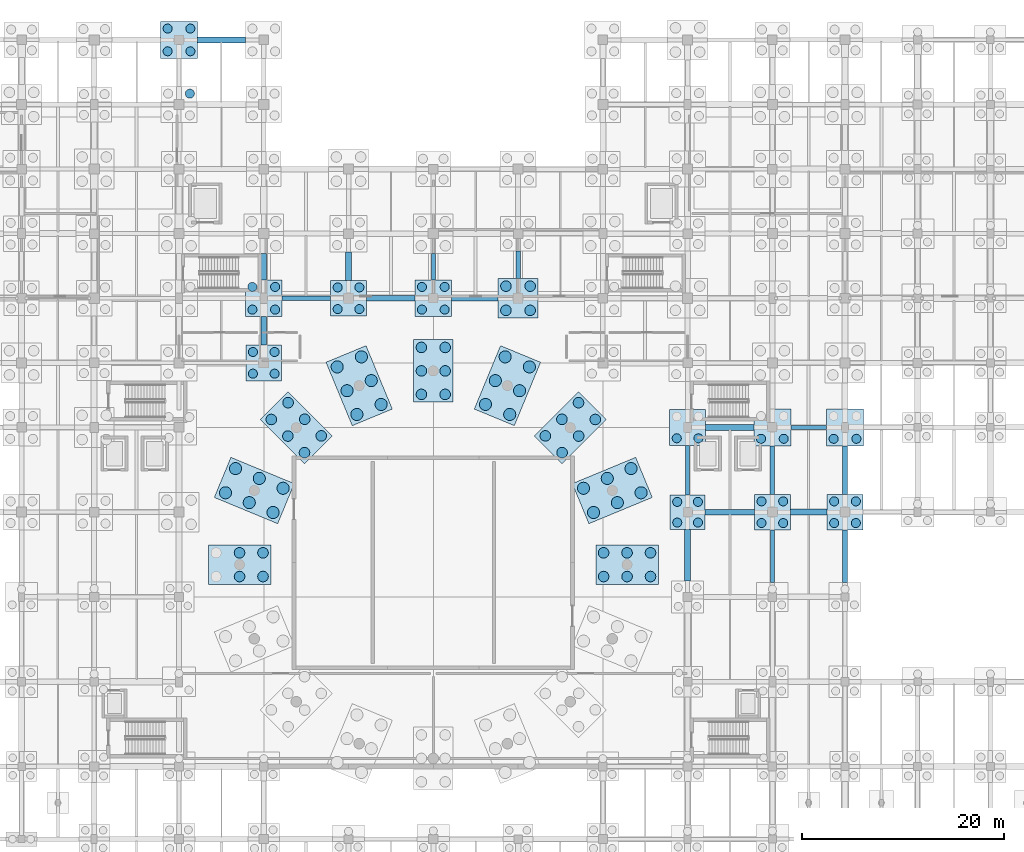
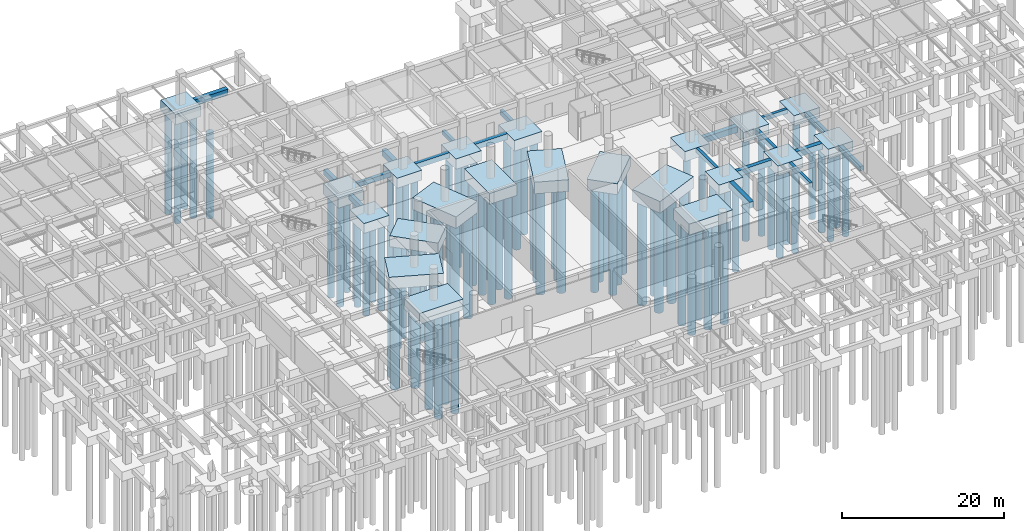
# One storey, part 9 of 44: 95 piles, 40 footings.
"""IFC4 building model written with IfcOpenShell, lengths in metres."""

from ifc_helpers import new_model, si_unit, direction, frame, origin, origin_2d, place, context, subcontext, project, spatial, rectangle, circle, extrude, material, material_profile, profile_set, type_object, element, save


model = new_model("IFC4")

# Units and contexts
model_context = context("Model", 3, precision=1e-05, world=origin(), true_north=direction((0.0, 1.0)))
body_context = subcontext(model_context, "Body", "Model", "MODEL_VIEW")
ifc_project = project(units=[si_unit("LENGTHUNIT", "METRE"), si_unit("AREAUNIT", "SQUARE_METRE"), si_unit("VOLUMEUNIT", "CUBIC_METRE"), si_unit("PLANEANGLEUNIT", "RADIAN"), si_unit("MASSUNIT", "GRAM", prefix="KILO")], contexts=[model_context])

# Site, building, storey
site_placement = place(None, origin())
site = spatial("IfcSite", under=ifc_project, at=site_placement, CompositionType="ELEMENT")
building_placement = place(site_placement, origin())
building = spatial("IfcBuilding", under=site, at=building_placement, Name="Korsvaeld Concert Hall", CompositionType="ELEMENT")
storey_placement = place(building_placement, frame((0.0, 0.0, -4.800048828125)))
storey = spatial("IfcBuildingStorey", under=building, at=storey_placement, Name="B1", CompositionType="ELEMENT", Elevation=-4.800048828125)

# Footings
ifc_material_1 = material(Name="Concrete C35/45", Category="concrete")
ifc_material_profile_1 = material_profile(ifc_material_1, rectangle(XDim=0.39990234375, YDim=0.60009765625, at=origin_2d()), Name="GTB 400x600")
ifc_profile_set_1 = profile_set([ifc_material_profile_1], Name="Concrete C35/45")
footing_type_1 = type_object("IfcFootingType", Name="GTB-400x600", PredefinedType="FOOTING_BEAM", material=ifc_profile_set_1)
footing_1_placement = place(storey_placement, frame((119.425048828125, 76.800048828125, -0.300048828125), z_axis=(1.0, 0.0, 0.0), x_axis=(0.0, 1.0, 0.0)))
element("IfcFooting", 1, at=footing_1_placement, inside=storey, type_object=footing_type_1, Name="Ground tie beam 16-17/L", PredefinedType="FOOTING_BEAM", context=body_context, shape_type="SweptSolid", body=[
    extrude(rectangle(XDim=0.39990234375, YDim=0.60009765625, at=origin_2d()), origin(), (0.0, 0.0, 1.0), 3.550048828125),
])
footing_2_placement = place(storey_placement, frame((84.0, 91.425048828125, -0.300048828125), z_axis=(0.0, 1.0, 0.0), x_axis=(-1.0, 0.0, 0.0)))
element("IfcFooting", 2, at=footing_2_placement, inside=storey, type_object=footing_type_1, Name="Ground tie beam 12/N-P", PredefinedType="FOOTING_BEAM", context=body_context, shape_type="SweptSolid", body=[
    extrude(rectangle(XDim=0.39990234375, YDim=0.60009765625, at=origin_2d()), origin(), (0.0, 0.0, 1.0), 2.599853515625),
])
footing_3_placement = place(storey_placement, frame((109.199951171875, 70.125, -0.300048828125), z_axis=(0.0, 1.0, 0.0), x_axis=(-1.0, 0.0, 0.0)))
element("IfcFooting", 3, at=footing_3_placement, inside=storey, type_object=footing_type_1, Name="Ground tie beam 15/K-L", PredefinedType="FOOTING_BEAM", context=body_context, shape_type="SweptSolid", body=[
    extrude(rectangle(XDim=0.39990234375, YDim=0.60009765625, at=origin_2d()), origin(), (0.0, 0.0, 1.0), 4.89990234375),
])
footing_4_placement = place(storey_placement, frame((117.60009765625, 61.425048828125, -0.300048828125), z_axis=(0.0, 1.0, 0.0), x_axis=(-1.0, 0.0, 0.0)))
element("IfcFooting", 4, at=footing_4_placement, inside=storey, type_object=footing_type_1, Name="Ground tie beam 16/J-K", PredefinedType="FOOTING_BEAM", context=body_context, shape_type="SweptSolid", body=[
    extrude(rectangle(XDim=0.39990234375, YDim=0.60009765625, at=origin_2d()), origin(), (0.0, 0.0, 1.0), 5.199951171875),
])
ifc_material_profile_2 = material_profile(ifc_material_1, rectangle(XDim=0.449951171875, YDim=0.699951171875, at=origin_2d()), Name="GTB 450x700")
ifc_profile_set_2 = profile_set([ifc_material_profile_2], Name="Concrete C35/45")
footing_type_2 = type_object("IfcFootingType", Name="GTB-450x700", PredefinedType="FOOTING_BEAM", material=ifc_profile_set_2)
footing_5_placement = place(storey_placement, frame((69.02490234375, 89.60009765625, -0.349853515625), z_axis=(1.0, 0.0, 0.0), x_axis=(0.0, 1.0, 0.0)))
element("IfcFooting", 5, at=footing_5_placement, inside=storey, type_object=footing_type_2, Name="Ground tie beam 10-11/N", PredefinedType="FOOTING_BEAM", context=body_context, shape_type="SweptSolid", body=[
    extrude(rectangle(XDim=0.449951171875, YDim=0.699951171875, at=origin_2d()), origin(), (0.0, 0.0, 1.0), 4.800048828125),
])
footing_6_placement = place(storey_placement, frame((92.39990234375, 91.574951171875, -0.349853515625), z_axis=(0.0, 1.0, 0.0), x_axis=(-1.0, 0.0, 0.0)))
element("IfcFooting", 6, at=footing_6_placement, inside=storey, type_object=footing_type_2, Name="Ground tie beam 13/N-P", PredefinedType="FOOTING_BEAM", context=body_context, shape_type="SweptSolid", body=[
    extrude(rectangle(XDim=0.449951171875, YDim=0.699951171875, at=origin_2d()), origin(), (0.0, 0.0, 1.0), 2.699951171875),
])
footing_7_placement = place(storey_placement, frame((117.60009765625, 70.175048828125, -0.349853515625), z_axis=(0.0, 1.0, 0.0), x_axis=(-1.0, 0.0, 0.0)))
element("IfcFooting", 7, at=footing_7_placement, inside=storey, type_object=footing_type_2, Name="Ground tie beam 16/K-L", PredefinedType="FOOTING_BEAM", context=body_context, shape_type="SweptSolid", body=[
    extrude(rectangle(XDim=0.449951171875, YDim=0.699951171875, at=origin_2d()), origin(), (0.0, 0.0, 1.0), 4.800048828125),
])
footing_8_placement = place(storey_placement, frame((124.800048828125, 61.425048828125, -0.349853515625), z_axis=(0.0, 1.0, 0.0), x_axis=(-1.0, 0.0, 0.0)))
element("IfcFooting", 8, at=footing_8_placement, inside=storey, type_object=footing_type_2, Name="Ground tie beam 17/J-K", PredefinedType="FOOTING_BEAM", context=body_context, shape_type="SweptSolid", body=[
    extrude(rectangle(XDim=0.449951171875, YDim=0.699951171875, at=origin_2d()), origin(), (0.0, 0.0, 1.0), 5.199951171875),
])
ifc_material_profile_3 = material_profile(ifc_material_1, rectangle(XDim=0.5, YDim=0.75, at=origin_2d()), Name="GTB 500x750")
ifc_profile_set_3 = profile_set([ifc_material_profile_3], Name="Concrete C35/45")
footing_type_3 = type_object("IfcFootingType", Name="GTB-500x750", PredefinedType="FOOTING_BEAM", material=ifc_profile_set_3)
footing_9_placement = place(storey_placement, frame((77.375, 89.60009765625, -0.375), z_axis=(1.0, 0.0, 0.0), x_axis=(0.0, 1.0, 0.0)))
element("IfcFooting", 9, at=footing_9_placement, inside=storey, type_object=footing_type_3, Name="Ground tie beam 11-12/N", PredefinedType="FOOTING_BEAM", context=body_context, shape_type="SweptSolid", body=[
    extrude(rectangle(XDim=0.5, YDim=0.75, at=origin_2d()), origin(), (0.0, 0.0, 1.0), 4.800048828125),
])
footing_10_placement = place(storey_placement, frame((67.199951171875, 84.97509765625, -0.375), z_axis=(0.0, 1.0, 0.0), x_axis=(-1.0, 0.0, 0.0)))
element("IfcFooting", 10, at=footing_10_placement, inside=storey, type_object=footing_type_3, Name="Ground tie beam 10/M-N", PredefinedType="FOOTING_BEAM", context=body_context, shape_type="SweptSolid", body=[
    extrude(rectangle(XDim=0.5, YDim=0.75, at=origin_2d()), origin(), (0.0, 0.0, 1.0), 2.7998046875),
])
footing_11_placement = place(storey_placement, frame((124.800048828125, 70.175048828125, -0.375), z_axis=(0.0, 1.0, 0.0), x_axis=(-1.0, 0.0, 0.0)))
element("IfcFooting", 11, at=footing_11_placement, inside=storey, type_object=footing_type_3, Name="Ground tie beam 17/K-L", PredefinedType="FOOTING_BEAM", context=body_context, shape_type="SweptSolid", body=[
    extrude(rectangle(XDim=0.5, YDim=0.75, at=origin_2d()), origin(), (0.0, 0.0, 1.0), 4.800048828125),
])
ifc_material_profile_4 = material_profile(ifc_material_1, rectangle(XDim=0.550048828125, YDim=0.85009765625, at=origin_2d()), Name="GTB 550x850")
ifc_profile_set_4 = profile_set([ifc_material_profile_4], Name="Concrete C35/45")
footing_type_4 = type_object("IfcFootingType", Name="GTB-550x850", PredefinedType="FOOTING_BEAM", material=ifc_profile_set_4)
footing_12_placement = place(storey_placement, frame((110.925048828125, 68.39990234375, -0.425048828125), z_axis=(1.0, 0.0, 0.0), x_axis=(0.0, 1.0, 0.0)))
element("IfcFooting", 12, at=footing_12_placement, inside=storey, type_object=footing_type_4, Name="Ground tie beam 15-16/K", PredefinedType="FOOTING_BEAM", context=body_context, shape_type="SweptSolid", body=[
    extrude(rectangle(XDim=0.550048828125, YDim=0.85009765625, at=origin_2d()), origin(), (0.0, 0.0, 1.0), 4.89990234375),
])
footing_13_placement = place(storey_placement, frame((85.824951171875, 89.60009765625, -0.425048828125), z_axis=(1.0, 0.0, 0.0), x_axis=(0.0, 1.0, 0.0)))
element("IfcFooting", 13, at=footing_13_placement, inside=storey, type_object=footing_type_4, Name="Ground tie beam 12-13/N", PredefinedType="FOOTING_BEAM", context=body_context, shape_type="SweptSolid", body=[
    extrude(rectangle(XDim=0.550048828125, YDim=0.85009765625, at=origin_2d()), origin(), (0.0, 0.0, 1.0), 4.60009765625),
])
footing_14_placement = place(storey_placement, frame((67.199951171875, 91.425048828125, -0.425048828125), z_axis=(0.0, 1.0, 0.0), x_axis=(-1.0, 0.0, 0.0)))
element("IfcFooting", 14, at=footing_14_placement, inside=storey, type_object=footing_type_4, Name="Ground tie beam 10/N-P", PredefinedType="FOOTING_BEAM", context=body_context, shape_type="SweptSolid", body=[
    extrude(rectangle(XDim=0.550048828125, YDim=0.85009765625, at=origin_2d()), origin(), (0.0, 0.0, 1.0), 2.599853515625),
])
ifc_material_profile_5 = material_profile(ifc_material_1, rectangle(XDim=0.60009765625, YDim=0.89990234375, at=origin_2d()), Name="GTB 600x900")
ifc_profile_set_5 = profile_set([ifc_material_profile_5], Name="Concrete C35/45")
footing_type_5 = type_object("IfcFootingType", Name="GTB-600x900", PredefinedType="FOOTING_BEAM", material=ifc_profile_set_5)
footing_15_placement = place(storey_placement, frame((119.375, 68.39990234375, -0.449951171875), z_axis=(1.0, 0.0, 0.0), x_axis=(0.0, 1.0, 0.0)))
element("IfcFooting", 15, at=footing_15_placement, inside=storey, type_object=footing_type_5, Name="Ground tie beam 16-17/K", PredefinedType="FOOTING_BEAM", context=body_context, shape_type="SweptSolid", body=[
    extrude(rectangle(XDim=0.60009765625, YDim=0.89990234375, at=origin_2d()), origin(), (0.0, 0.0, 1.0), 3.64990234375),
])
footing_16_placement = place(storey_placement, frame((110.97509765625, 76.800048828125, -0.449951171875), z_axis=(1.0, 0.0, 0.0), x_axis=(0.0, 1.0, 0.0)))
element("IfcFooting", 16, at=footing_16_placement, inside=storey, type_object=footing_type_5, Name="Ground tie beam 15-16/L", PredefinedType="FOOTING_BEAM", context=body_context, shape_type="SweptSolid", body=[
    extrude(rectangle(XDim=0.60009765625, YDim=0.89990234375, at=origin_2d()), origin(), (0.0, 0.0, 1.0), 4.7998046875),
])
footing_17_placement = place(storey_placement, frame((60.625, 115.199951171875, -0.449951171875), z_axis=(1.0, 0.0, 0.0), x_axis=(0.0, 1.0, 0.0)))
element("IfcFooting", 17, at=footing_17_placement, inside=storey, type_object=footing_type_5, Name="Ground tie beam 9-10/S", PredefinedType="FOOTING_BEAM", context=body_context, shape_type="SweptSolid", body=[
    extrude(rectangle(XDim=0.60009765625, YDim=0.89990234375, at=origin_2d()), origin(), (0.0, 0.0, 1.0), 4.75),
])
footing_18_placement = place(storey_placement, frame((75.60009765625, 91.375, -0.449951171875), z_axis=(0.0, 1.0, 0.0), x_axis=(-1.0, 0.0, 0.0)))
element("IfcFooting", 18, at=footing_18_placement, inside=storey, type_object=footing_type_5, Name="Ground tie beam 11/N-P", PredefinedType="FOOTING_BEAM", context=body_context, shape_type="SweptSolid", body=[
    extrude(rectangle(XDim=0.60009765625, YDim=0.89990234375, at=origin_2d()), origin(), (0.0, 0.0, 1.0), 2.800048828125),
])
footing_19_placement = place(storey_placement, frame((109.199951171875, 61.574951171875, -0.449951171875), z_axis=(0.0, 1.0, 0.0), x_axis=(-1.0, 0.0, 0.0)))
element("IfcFooting", 19, at=footing_19_placement, inside=storey, type_object=footing_type_5, Name="Ground tie beam 15/J-K", PredefinedType="FOOTING_BEAM", context=body_context, shape_type="SweptSolid", body=[
    extrude(rectangle(XDim=0.60009765625, YDim=0.89990234375, at=origin_2d()), origin(), (0.0, 0.0, 1.0), 5.10009765625),
])
footing_type_6 = type_object("IfcFootingType", Name="PC-4P-320x320x145", PredefinedType="PILE_CAP", material=ifc_material_1)
footing_20_placement = place(storey_placement, frame((109.199951171875, 68.39990234375, -1.44970703125), z_axis=(0.0, 0.0, 1.0), x_axis=(1.0, 0.0, 0.0)))
element("IfcFooting", 20, at=footing_20_placement, inside=storey, type_object=footing_type_6, Name="Pile cap 15/K", PredefinedType="PILE_CAP", context=body_context, shape_type="SweptSolid", body=[
    extrude(rectangle(XDim=3.449951171875, YDim=3.449951171875, at=origin_2d()), origin(), (0.0, 0.0, 1.0), 1.449951171875),
])
footing_type_7 = type_object("IfcFootingType", Name="PC-4P-340x340x150", PredefinedType="PILE_CAP", material=ifc_material_1)
for number, where, z_axis, x_axis, name in (
    (21, (67.199951171875, 83.199951171875, -1.5), (0.0, 0.0, 1.0), (1.0, 0.0, 0.0), "Pile cap 10/M"),
    (22, (75.60009765625, 89.60009765625, -1.5), (0.0, 0.0, 1.0), (1.0, 0.0, 0.0), "Pile cap 11/N"),
    (23, (109.199951171875, 76.800048828125, -1.5), (0.0, 0.0, 1.0), (1.0, 0.0, 0.0), "Pile cap 15/L"),
    (24, (117.60009765625, 68.39990234375, -1.5), (0.0, 0.0, 1.0), (1.0, 0.0, 0.0), "Pile cap 16/K"),
    (25, (124.800048828125, 68.39990234375, -1.5), (0.0, 0.0, 1.0), (1.0, 0.0, 0.0), "Pile cap 17/K"),
):
    element("IfcFooting", number, at=place(storey_placement, frame(where, z_axis=z_axis, x_axis=x_axis)), inside=storey, type_object=footing_type_7, Name=name, PredefinedType="PILE_CAP", context=body_context, shape_type="SweptSolid", body=[
        extrude(rectangle(XDim=3.550048828125, YDim=3.550048828125, at=origin_2d()), origin(), (0.0, 0.0, 1.0), 1.5),
    ])
footing_type_8 = type_object("IfcFootingType", Name="PC-4P-360x360x155", PredefinedType="PILE_CAP", material=ifc_material_1)
for number, where, z_axis, x_axis, name in (
    (26, (67.199951171875, 89.60009765625, -1.5498046875), (0.0, 0.0, 1.0), (1.0, 0.0, 0.0), "Pile cap 10/N"),
    (27, (84.0, 89.60009765625, -1.5498046875), (0.0, 0.0, 1.0), (1.0, 0.0, 0.0), "Pile cap 12/N"),
    (28, (117.60009765625, 76.800048828125, -1.5498046875), (0.0, 0.0, 1.0), (1.0, 0.0, 0.0), "Pile cap 16/L"),
    (29, (124.800048828125, 76.800048828125, -1.5498046875), (0.0, 0.0, 1.0), (1.0, 0.0, 0.0), "Pile cap 17/L"),
    (30, (58.800048828125, 115.199951171875, -1.5498046875), (0.0, 0.0, 1.0), (1.0, 0.0, 0.0), "Pile cap 9/S"),
):
    element("IfcFooting", number, at=place(storey_placement, frame(where, z_axis=z_axis, x_axis=x_axis)), inside=storey, type_object=footing_type_8, Name=name, PredefinedType="PILE_CAP", context=body_context, shape_type="SweptSolid", body=[
        extrude(rectangle(XDim=3.64990234375, YDim=3.64990234375, at=origin_2d()), origin(), (0.0, 0.0, 1.0), 1.550048828125),
    ])
footing_type_9 = type_object("IfcFootingType", Name="PC-4P-380x380x160", PredefinedType="PILE_CAP", material=ifc_material_1)
footing_21_placement = place(storey_placement, frame((92.39990234375, 89.60009765625, -1.60009765625), z_axis=(0.0, 0.0, 1.0), x_axis=(1.0, 0.0, 0.0)))
element("IfcFooting", 31, at=footing_21_placement, inside=storey, type_object=footing_type_9, Name="Pile cap 13/N", PredefinedType="PILE_CAP", context=body_context, shape_type="SweptSolid", body=[
    extrude(rectangle(XDim=3.949951171875, YDim=3.949951171875, at=origin_2d()), origin(), (0.0, 0.0, 1.0), 1.60009765625),
])
footing_type_10 = type_object("IfcFootingType", Name="PC-6P-460x340x165", PredefinedType="PILE_CAP", material=ifc_material_1)
for number, where, z_axis, x_axis, name in (
    (32, (103.199951171875, 63.199951171875, -1.64990234375), (0.0, 0.0, 1.0), (1.0, 0.0, 0.0), "Drum pile cap D01"),
    (33, (97.576416015625, 76.776611328125, -1.64990234375), (0.0, 0.0, 1.0), (0.707106781187, 0.707106781187, 0.0), "Drum pile cap D03"),
    (34, (84.0, 82.39990234375, -1.64990234375), (0.0, 0.0, 1.0), (0.0, 1.0, 0.0), "Drum pile cap D05"),
    (35, (70.423583984375, 76.776611328125, -1.64990234375), (0.0, 0.0, 1.0), (-0.707106781187, 0.707106781187, 0.0), "Drum pile cap D07"),
    (36, (64.800048828125, 63.199951171875, -1.64990234375), (0.0, 0.0, 1.0), (-1.0, 0.0, 0.0), "Drum pile cap D09"),
):
    element("IfcFooting", number, at=place(storey_placement, frame(where, z_axis=z_axis, x_axis=x_axis)), inside=storey, type_object=footing_type_10, Name=name, PredefinedType="PILE_CAP", context=body_context, shape_type="SweptSolid", body=[
        extrude(rectangle(XDim=6.199951171875, YDim=3.89990234375, at=origin_2d()), origin(), (0.0, 0.0, 1.0), 1.64990234375),
    ])
footing_type_11 = type_object("IfcFootingType", Name="PC-6P-500x360x175", PredefinedType="PILE_CAP", material=ifc_material_1)
for number, where, z_axis, x_axis, name in (
    (37, (101.738525390625, 70.547607421875, -1.75), (0.0, 0.0, 1.0), (0.923879532511, 0.382683432365, 0.0), "Drum pile cap D02"),
    (38, (91.347412109375, 80.9384765625, -1.75), (0.0, 0.0, 1.0), (0.382683432365, 0.923879532511, 0.0), "Drum pile cap D04"),
    (39, (76.652587890625, 80.9384765625, -1.75), (0.0, 0.0, 1.0), (-0.382683432365, 0.923879532511, 0.0), "Drum pile cap D06"),
    (40, (66.261474609375, 70.547607421875, -1.75), (0.0, 0.0, 1.0), (-0.923879532511, 0.382683432365, 0.0), "Drum pile cap D08"),
):
    element("IfcFooting", number, at=place(storey_placement, frame(where, z_axis=z_axis, x_axis=x_axis)), inside=storey, type_object=footing_type_11, Name=name, PredefinedType="PILE_CAP", context=body_context, shape_type="SweptSolid", body=[
        extrude(rectangle(XDim=6.800048828125, YDim=4.300048828125, at=origin_2d()), origin(), (0.0, 0.0, 1.0), 1.75),
    ])

# Piles
ifc_material_2 = material(Name="Concrete C40/50", Category="concrete")
ifc_material_profile_6 = material_profile(ifc_material_2, circle(Radius=0.52490234375, at=origin_2d()), Name="BORED PILE D1050")
ifc_profile_set_6 = profile_set([ifc_material_profile_6], Name="Concrete C40/50")
pile_type_1 = type_object("IfcPileType", Name="PILE-D1050", PredefinedType="BORED", material=ifc_profile_set_6)
for number, where, z_axis, x_axis, name in (
    (41, (91.199951171875, 88.39990234375, -1.5), (0.0, 0.0, -1.0), (1.0, 0.0, 0.0), "Bored pile 13/N-1"),
    (42, (93.60009765625, 88.39990234375, -1.5), (0.0, 0.0, -1.0), (1.0, 0.0, 0.0), "Bored pile 13/N-2"),
    (43, (91.199951171875, 90.800048828125, -1.5), (0.0, 0.0, -1.0), (1.0, 0.0, 0.0), "Bored pile 13/N-3"),
    (44, (93.60009765625, 90.800048828125, -1.5), (0.0, 0.0, -1.0), (1.0, 0.0, 0.0), "Bored pile 13/N-4"),
):
    element("IfcPile", number, at=place(storey_placement, frame(where, z_axis=z_axis, x_axis=x_axis)), inside=storey, type_object=pile_type_1, Name=name, PredefinedType="BORED", context=body_context, shape_type="SweptSolid", body=[
        extrude(circle(Radius=0.52490234375, at=origin_2d()), origin(), (0.0, 0.0, 1.0), 15.39990234375),
    ])
for number, where, z_axis, x_axis, name in (
    (45, (100.875, 62.02490234375, -1.550048828125), (0.0, 0.0, -1.0), (1.0, 0.0, 0.0), "Drum bored pile D01-1"),
    (46, (103.199951171875, 62.02490234375, -1.550048828125), (0.0, 0.0, -1.0), (1.0, 0.0, 0.0), "Drum bored pile D01-2"),
    (47, (105.52490234375, 62.02490234375, -1.550048828125), (0.0, 0.0, -1.0), (1.0, 0.0, 0.0), "Drum bored pile D01-3"),
    (48, (100.875, 64.375, -1.550048828125), (0.0, 0.0, -1.0), (1.0, 0.0, 0.0), "Drum bored pile D01-4"),
    (49, (103.199951171875, 64.375, -1.550048828125), (0.0, 0.0, -1.0), (1.0, 0.0, 0.0), "Drum bored pile D01-5"),
    (50, (105.52490234375, 64.375, -1.550048828125), (0.0, 0.0, -1.0), (1.0, 0.0, 0.0), "Drum bored pile D01-6"),
    (51, (96.76318359375, 74.301513671875, -1.550048828125), (0.0, 0.0, -1.0), (1.0, 0.0, 0.0), "Drum bored pile D03-1"),
    (52, (98.407470703125, 75.945556640625, -1.550048828125), (0.0, 0.0, -1.0), (1.0, 0.0, 0.0), "Drum bored pile D03-2"),
    (53, (100.051513671875, 77.589599609375, -1.550048828125), (0.0, 0.0, -1.0), (1.0, 0.0, 0.0), "Drum bored pile D03-3"),
    (54, (95.1015625, 75.96337890625, -1.550048828125), (0.0, 0.0, -1.0), (1.0, 0.0, 0.0), "Drum bored pile D03-4"),
    (55, (96.74560546875, 77.607421875, -1.550048828125), (0.0, 0.0, -1.0), (1.0, 0.0, 0.0), "Drum bored pile D03-5"),
    (56, (98.3896484375, 79.25146484375, -1.550048828125), (0.0, 0.0, -1.0), (1.0, 0.0, 0.0), "Drum bored pile D03-6"),
    (57, (85.175048828125, 80.074951171875, -1.550048828125), (0.0, 0.0, -1.0), (1.0, 0.0, 0.0), "Drum bored pile D05-1"),
    (58, (85.175048828125, 82.39990234375, -1.550048828125), (0.0, 0.0, -1.0), (1.0, 0.0, 0.0), "Drum bored pile D05-2"),
    (59, (85.175048828125, 84.72509765625, -1.550048828125), (0.0, 0.0, -1.0), (1.0, 0.0, 0.0), "Drum bored pile D05-3"),
    (60, (82.824951171875, 80.074951171875, -1.550048828125), (0.0, 0.0, -1.0), (1.0, 0.0, 0.0), "Drum bored pile D05-4"),
    (61, (82.824951171875, 82.39990234375, -1.550048828125), (0.0, 0.0, -1.0), (1.0, 0.0, 0.0), "Drum bored pile D05-5"),
    (62, (82.824951171875, 84.72509765625, -1.550048828125), (0.0, 0.0, -1.0), (1.0, 0.0, 0.0), "Drum bored pile D05-6"),
    (63, (72.8984375, 75.96337890625, -1.550048828125), (0.0, 0.0, -1.0), (1.0, 0.0, 0.0), "Drum bored pile D07-1"),
    (64, (71.25439453125, 77.607421875, -1.550048828125), (0.0, 0.0, -1.0), (1.0, 0.0, 0.0), "Drum bored pile D07-2"),
    (65, (69.6103515625, 79.25146484375, -1.550048828125), (0.0, 0.0, -1.0), (1.0, 0.0, 0.0), "Drum bored pile D07-3"),
    (66, (71.23681640625, 74.301513671875, -1.550048828125), (0.0, 0.0, -1.0), (1.0, 0.0, 0.0), "Drum bored pile D07-4"),
    (67, (69.592529296875, 75.945556640625, -1.550048828125), (0.0, 0.0, -1.0), (1.0, 0.0, 0.0), "Drum bored pile D07-5"),
    (68, (67.948486328125, 77.589599609375, -1.550048828125), (0.0, 0.0, -1.0), (1.0, 0.0, 0.0), "Drum bored pile D07-6"),
    (69, (67.125, 64.375, -1.550048828125), (0.0, 0.0, -1.0), (1.0, 0.0, 0.0), "Drum bored pile D09-1"),
    (70, (64.800048828125, 64.375, -1.550048828125), (0.0, 0.0, -1.0), (1.0, 0.0, 0.0), "Drum bored pile D09-2"),
    (71, (67.125, 62.02490234375, -1.550048828125), (0.0, 0.0, -1.0), (1.0, 0.0, 0.0), "Drum bored pile D09-4"),
    (72, (64.800048828125, 62.02490234375, -1.550048828125), (0.0, 0.0, -1.0), (1.0, 0.0, 0.0), "Drum bored pile D09-5"),
):
    element("IfcPile", number, at=place(storey_placement, frame(where, z_axis=z_axis, x_axis=x_axis)), inside=storey, type_object=pile_type_1, Name=name, PredefinedType="BORED", context=body_context, shape_type="SweptSolid", body=[
        extrude(circle(Radius=0.52490234375, at=origin_2d()), origin(), (0.0, 0.0, 1.0), 15.60009765625),
    ])
ifc_material_profile_7 = material_profile(ifc_material_2, circle(Radius=0.60009765625, at=origin_2d()), Name="BORED PILE D1200")
ifc_profile_set_7 = profile_set([ifc_material_profile_7], Name="Concrete C40/50")
pile_type_2 = type_object("IfcPileType", Name="PILE-D1200", PredefinedType="BORED", material=ifc_profile_set_7)
for number, where, z_axis, x_axis, name in (
    (73, (99.880126953125, 68.37060546875, -1.64990234375), (0.0, 0.0, -1.0), (1.0, 0.0, 0.0), "Drum bored pile D02-1"),
    (74, (102.236083984375, 69.346435546875, -1.64990234375), (0.0, 0.0, -1.0), (1.0, 0.0, 0.0), "Drum bored pile D02-2"),
    (75, (104.591796875, 70.322265625, -1.64990234375), (0.0, 0.0, -1.0), (1.0, 0.0, 0.0), "Drum bored pile D02-3"),
    (76, (98.885009765625, 70.772705078125, -1.64990234375), (0.0, 0.0, -1.0), (1.0, 0.0, 0.0), "Drum bored pile D02-4"),
    (77, (101.240966796875, 71.74853515625, -1.64990234375), (0.0, 0.0, -1.0), (1.0, 0.0, 0.0), "Drum bored pile D02-5"),
    (78, (103.596923828125, 72.724365234375, -1.64990234375), (0.0, 0.0, -1.0), (1.0, 0.0, 0.0), "Drum bored pile D02-6"),
    (79, (91.57275390625, 78.085205078125, -1.64990234375), (0.0, 0.0, -1.0), (1.0, 0.0, 0.0), "Drum bored pile D04-1"),
    (80, (92.548583984375, 80.44091796875, -1.64990234375), (0.0, 0.0, -1.0), (1.0, 0.0, 0.0), "Drum bored pile D04-2"),
    (81, (93.5244140625, 82.796875, -1.64990234375), (0.0, 0.0, -1.0), (1.0, 0.0, 0.0), "Drum bored pile D04-3"),
    (82, (89.170654296875, 79.080078125, -1.64990234375), (0.0, 0.0, -1.0), (1.0, 0.0, 0.0), "Drum bored pile D04-4"),
    (83, (90.146484375, 81.43603515625, -1.64990234375), (0.0, 0.0, -1.0), (1.0, 0.0, 0.0), "Drum bored pile D04-5"),
    (84, (91.122314453125, 83.7919921875, -1.64990234375), (0.0, 0.0, -1.0), (1.0, 0.0, 0.0), "Drum bored pile D04-6"),
    (85, (78.829345703125, 79.080078125, -1.64990234375), (0.0, 0.0, -1.0), (1.0, 0.0, 0.0), "Drum bored pile D06-1"),
    (86, (77.853515625, 81.43603515625, -1.64990234375), (0.0, 0.0, -1.0), (1.0, 0.0, 0.0), "Drum bored pile D06-2"),
    (87, (76.877685546875, 83.7919921875, -1.64990234375), (0.0, 0.0, -1.0), (1.0, 0.0, 0.0), "Drum bored pile D06-3"),
    (88, (76.42724609375, 78.085205078125, -1.64990234375), (0.0, 0.0, -1.0), (1.0, 0.0, 0.0), "Drum bored pile D06-4"),
    (89, (75.451416015625, 80.44091796875, -1.64990234375), (0.0, 0.0, -1.0), (1.0, 0.0, 0.0), "Drum bored pile D06-5"),
    (90, (74.4755859375, 82.796875, -1.64990234375), (0.0, 0.0, -1.0), (1.0, 0.0, 0.0), "Drum bored pile D06-6"),
    (91, (69.114990234375, 70.772705078125, -1.64990234375), (0.0, 0.0, -1.0), (1.0, 0.0, 0.0), "Drum bored pile D08-1"),
    (92, (66.759033203125, 71.74853515625, -1.64990234375), (0.0, 0.0, -1.0), (1.0, 0.0, 0.0), "Drum bored pile D08-2"),
    (93, (64.403076171875, 72.724365234375, -1.64990234375), (0.0, 0.0, -1.0), (1.0, 0.0, 0.0), "Drum bored pile D08-3"),
    (94, (68.119873046875, 68.37060546875, -1.64990234375), (0.0, 0.0, -1.0), (1.0, 0.0, 0.0), "Drum bored pile D08-4"),
    (95, (65.763916015625, 69.346435546875, -1.64990234375), (0.0, 0.0, -1.0), (1.0, 0.0, 0.0), "Drum bored pile D08-5"),
    (96, (63.408203125, 70.322265625, -1.64990234375), (0.0, 0.0, -1.0), (1.0, 0.0, 0.0), "Drum bored pile D08-6"),
):
    element("IfcPile", number, at=place(storey_placement, frame(where, z_axis=z_axis, x_axis=x_axis)), inside=storey, type_object=pile_type_2, Name=name, PredefinedType="BORED", context=body_context, shape_type="SweptSolid", body=[
        extrude(circle(Radius=0.60009765625, at=origin_2d()), origin(), (0.0, 0.0, 1.0), 15.60009765625),
    ])
ifc_material_profile_8 = material_profile(ifc_material_1, circle(Radius=0.449951171875, at=origin_2d()), Name="BORED PILE D900")
ifc_profile_set_8 = profile_set([ifc_material_profile_8], Name="Concrete C35/45")
pile_type_3 = type_object("IfcPileType", Name="PILE-D900", PredefinedType="BORED", material=ifc_profile_set_8)
for number, where, z_axis, x_axis, name in (
    (97, (66.125, 82.125, -1.39990234375), (0.0, 0.0, -1.0), (1.0, 0.0, 0.0), "Bored pile 10/M-1"),
    (98, (68.27490234375, 82.125, -1.39990234375), (0.0, 0.0, -1.0), (1.0, 0.0, 0.0), "Bored pile 10/M-2"),
    (99, (66.125, 84.27490234375, -1.39990234375), (0.0, 0.0, -1.0), (1.0, 0.0, 0.0), "Bored pile 10/M-3"),
    (100, (68.27490234375, 84.27490234375, -1.39990234375), (0.0, 0.0, -1.0), (1.0, 0.0, 0.0), "Bored pile 10/M-4"),
):
    element("IfcPile", number, at=place(storey_placement, frame(where, z_axis=z_axis, x_axis=x_axis)), inside=storey, type_object=pile_type_3, Name=name, PredefinedType="BORED", context=body_context, shape_type="SweptSolid", body=[
        extrude(circle(Radius=0.449951171875, at=origin_2d()), origin(), (0.0, 0.0, 1.0), 12.89990234375),
    ])
for number, where, z_axis, x_axis, name in (
    (101, (66.074951171875, 88.47509765625, -1.449951171875), (0.0, 0.0, -1.0), (1.0, 0.0, 0.0), "Bored pile 10/N-1"),
    (102, (68.324951171875, 88.47509765625, -1.449951171875), (0.0, 0.0, -1.0), (1.0, 0.0, 0.0), "Bored pile 10/N-2"),
    (103, (66.074951171875, 90.72509765625, -1.449951171875), (0.0, 0.0, -1.0), (1.0, 0.0, 0.0), "Bored pile 10/N-3"),
    (104, (68.324951171875, 90.72509765625, -1.449951171875), (0.0, 0.0, -1.0), (1.0, 0.0, 0.0), "Bored pile 10/N-4"),
):
    element("IfcPile", number, at=place(storey_placement, frame(where, z_axis=z_axis, x_axis=x_axis)), inside=storey, type_object=pile_type_3, Name=name, PredefinedType="BORED", context=body_context, shape_type="SweptSolid", body=[
        extrude(circle(Radius=0.449951171875, at=origin_2d()), origin(), (0.0, 0.0, 1.0), 15.35009765625),
    ])
for number, where, z_axis, x_axis, name in (
    (105, (74.52490234375, 88.52490234375, -1.39990234375), (0.0, 0.0, -1.0), (1.0, 0.0, 0.0), "Bored pile 11/N-1"),
    (106, (76.675048828125, 88.52490234375, -1.39990234375), (0.0, 0.0, -1.0), (1.0, 0.0, 0.0), "Bored pile 11/N-2"),
    (107, (74.52490234375, 90.675048828125, -1.39990234375), (0.0, 0.0, -1.0), (1.0, 0.0, 0.0), "Bored pile 11/N-3"),
    (108, (76.675048828125, 90.675048828125, -1.39990234375), (0.0, 0.0, -1.0), (1.0, 0.0, 0.0), "Bored pile 11/N-4"),
):
    element("IfcPile", number, at=place(storey_placement, frame(where, z_axis=z_axis, x_axis=x_axis)), inside=storey, type_object=pile_type_3, Name=name, PredefinedType="BORED", context=body_context, shape_type="SweptSolid", body=[
        extrude(circle(Radius=0.449951171875, at=origin_2d()), origin(), (0.0, 0.0, 1.0), 12.89990234375),
    ])
for number, where, z_axis, x_axis, name in (
    (109, (82.875, 88.47509765625, -1.449951171875), (0.0, 0.0, -1.0), (1.0, 0.0, 0.0), "Bored pile 12/N-1"),
    (110, (85.125, 88.47509765625, -1.449951171875), (0.0, 0.0, -1.0), (1.0, 0.0, 0.0), "Bored pile 12/N-2"),
    (111, (82.875, 90.72509765625, -1.449951171875), (0.0, 0.0, -1.0), (1.0, 0.0, 0.0), "Bored pile 12/N-3"),
    (112, (85.125, 90.72509765625, -1.449951171875), (0.0, 0.0, -1.0), (1.0, 0.0, 0.0), "Bored pile 12/N-4"),
):
    element("IfcPile", number, at=place(storey_placement, frame(where, z_axis=z_axis, x_axis=x_axis)), inside=storey, type_object=pile_type_3, Name=name, PredefinedType="BORED", context=body_context, shape_type="SweptSolid", body=[
        extrude(circle(Radius=0.449951171875, at=origin_2d()), origin(), (0.0, 0.0, 1.0), 15.35009765625),
    ])
for number, where, z_axis, x_axis, name in (
    (113, (108.175048828125, 67.375, -1.349853515625), (0.0, 0.0, -1.0), (1.0, 0.0, 0.0), "Bored pile 15/K-1"),
    (114, (110.22509765625, 67.375, -1.349853515625), (0.0, 0.0, -1.0), (1.0, 0.0, 0.0), "Bored pile 15/K-2"),
    (115, (108.175048828125, 69.425048828125, -1.349853515625), (0.0, 0.0, -1.0), (1.0, 0.0, 0.0), "Bored pile 15/K-3"),
    (116, (110.22509765625, 69.425048828125, -1.349853515625), (0.0, 0.0, -1.0), (1.0, 0.0, 0.0), "Bored pile 15/K-4"),
):
    element("IfcPile", number, at=place(storey_placement, frame(where, z_axis=z_axis, x_axis=x_axis)), inside=storey, type_object=pile_type_3, Name=name, PredefinedType="BORED", context=body_context, shape_type="SweptSolid", body=[
        extrude(circle(Radius=0.449951171875, at=origin_2d()), origin(), (0.0, 0.0, 1.0), 12.85009765625),
    ])
for number, where, z_axis, x_axis, name in (
    (117, (108.125, 75.72509765625, -1.39990234375), (0.0, 0.0, -1.0), (1.0, 0.0, 0.0), "Bored pile 15/L-1"),
    (118, (110.27490234375, 75.72509765625, -1.39990234375), (0.0, 0.0, -1.0), (1.0, 0.0, 0.0), "Bored pile 15/L-2"),
    (119, (116.52490234375, 67.324951171875, -1.39990234375), (0.0, 0.0, -1.0), (1.0, 0.0, 0.0), "Bored pile 16/K-1"),
    (120, (118.675048828125, 67.324951171875, -1.39990234375), (0.0, 0.0, -1.0), (1.0, 0.0, 0.0), "Bored pile 16/K-2"),
    (121, (116.52490234375, 69.47509765625, -1.39990234375), (0.0, 0.0, -1.0), (1.0, 0.0, 0.0), "Bored pile 16/K-3"),
    (122, (118.675048828125, 69.47509765625, -1.39990234375), (0.0, 0.0, -1.0), (1.0, 0.0, 0.0), "Bored pile 16/K-4"),
):
    element("IfcPile", number, at=place(storey_placement, frame(where, z_axis=z_axis, x_axis=x_axis)), inside=storey, type_object=pile_type_3, Name=name, PredefinedType="BORED", context=body_context, shape_type="SweptSolid", body=[
        extrude(circle(Radius=0.449951171875, at=origin_2d()), origin(), (0.0, 0.0, 1.0), 12.89990234375),
    ])
for number, where, z_axis, x_axis, name in (
    (123, (116.47509765625, 75.675048828125, -1.449951171875), (0.0, 0.0, -1.0), (1.0, 0.0, 0.0), "Bored pile 16/L-1"),
    (124, (118.72509765625, 75.675048828125, -1.449951171875), (0.0, 0.0, -1.0), (1.0, 0.0, 0.0), "Bored pile 16/L-2"),
):
    element("IfcPile", number, at=place(storey_placement, frame(where, z_axis=z_axis, x_axis=x_axis)), inside=storey, type_object=pile_type_3, Name=name, PredefinedType="BORED", context=body_context, shape_type="SweptSolid", body=[
        extrude(circle(Radius=0.449951171875, at=origin_2d()), origin(), (0.0, 0.0, 1.0), 15.35009765625),
    ])
for number, where, z_axis, x_axis, name in (
    (125, (123.72509765625, 67.324951171875, -1.39990234375), (0.0, 0.0, -1.0), (1.0, 0.0, 0.0), "Bored pile 17/K-1"),
    (126, (125.875, 67.324951171875, -1.39990234375), (0.0, 0.0, -1.0), (1.0, 0.0, 0.0), "Bored pile 17/K-2"),
    (127, (123.72509765625, 69.47509765625, -1.39990234375), (0.0, 0.0, -1.0), (1.0, 0.0, 0.0), "Bored pile 17/K-3"),
    (128, (125.875, 69.47509765625, -1.39990234375), (0.0, 0.0, -1.0), (1.0, 0.0, 0.0), "Bored pile 17/K-4"),
):
    element("IfcPile", number, at=place(storey_placement, frame(where, z_axis=z_axis, x_axis=x_axis)), inside=storey, type_object=pile_type_3, Name=name, PredefinedType="BORED", context=body_context, shape_type="SweptSolid", body=[
        extrude(circle(Radius=0.449951171875, at=origin_2d()), origin(), (0.0, 0.0, 1.0), 12.89990234375),
    ])
for number, where, z_axis, x_axis, name in (
    (129, (123.675048828125, 75.675048828125, -1.449951171875), (0.0, 0.0, -1.0), (1.0, 0.0, 0.0), "Bored pile 17/L-1"),
    (130, (125.925048828125, 75.675048828125, -1.449951171875), (0.0, 0.0, -1.0), (1.0, 0.0, 0.0), "Bored pile 17/L-2"),
):
    element("IfcPile", number, at=place(storey_placement, frame(where, z_axis=z_axis, x_axis=x_axis)), inside=storey, type_object=pile_type_3, Name=name, PredefinedType="BORED", context=body_context, shape_type="SweptSolid", body=[
        extrude(circle(Radius=0.449951171875, at=origin_2d()), origin(), (0.0, 0.0, 1.0), 15.35009765625),
    ])
pile_placement = place(storey_placement, frame((59.875, 109.875, -1.39990234375), z_axis=(0.0, 0.0, -1.0), x_axis=(1.0, 0.0, 0.0)))
element("IfcPile", 131, at=pile_placement, inside=storey, type_object=pile_type_3, Name="Bored pile 9/R-4", PredefinedType="BORED", context=body_context, shape_type="SweptSolid", body=[
    extrude(circle(Radius=0.449951171875, at=origin_2d()), origin(), (0.0, 0.0, 1.0), 12.89990234375),
])
for number, where, z_axis, x_axis, name in (
    (132, (57.675048828125, 114.074951171875, -1.449951171875), (0.0, 0.0, -1.0), (1.0, 0.0, 0.0), "Bored pile 9/S-1"),
    (133, (59.925048828125, 114.074951171875, -1.449951171875), (0.0, 0.0, -1.0), (1.0, 0.0, 0.0), "Bored pile 9/S-2"),
    (134, (57.675048828125, 116.324951171875, -1.449951171875), (0.0, 0.0, -1.0), (1.0, 0.0, 0.0), "Bored pile 9/S-3"),
    (135, (59.925048828125, 116.324951171875, -1.449951171875), (0.0, 0.0, -1.0), (1.0, 0.0, 0.0), "Bored pile 9/S-4"),
):
    element("IfcPile", number, at=place(storey_placement, frame(where, z_axis=z_axis, x_axis=x_axis)), inside=storey, type_object=pile_type_3, Name=name, PredefinedType="BORED", context=body_context, shape_type="SweptSolid", body=[
        extrude(circle(Radius=0.449951171875, at=origin_2d()), origin(), (0.0, 0.0, 1.0), 15.35009765625),
    ])

save(model, "model.ifc")
